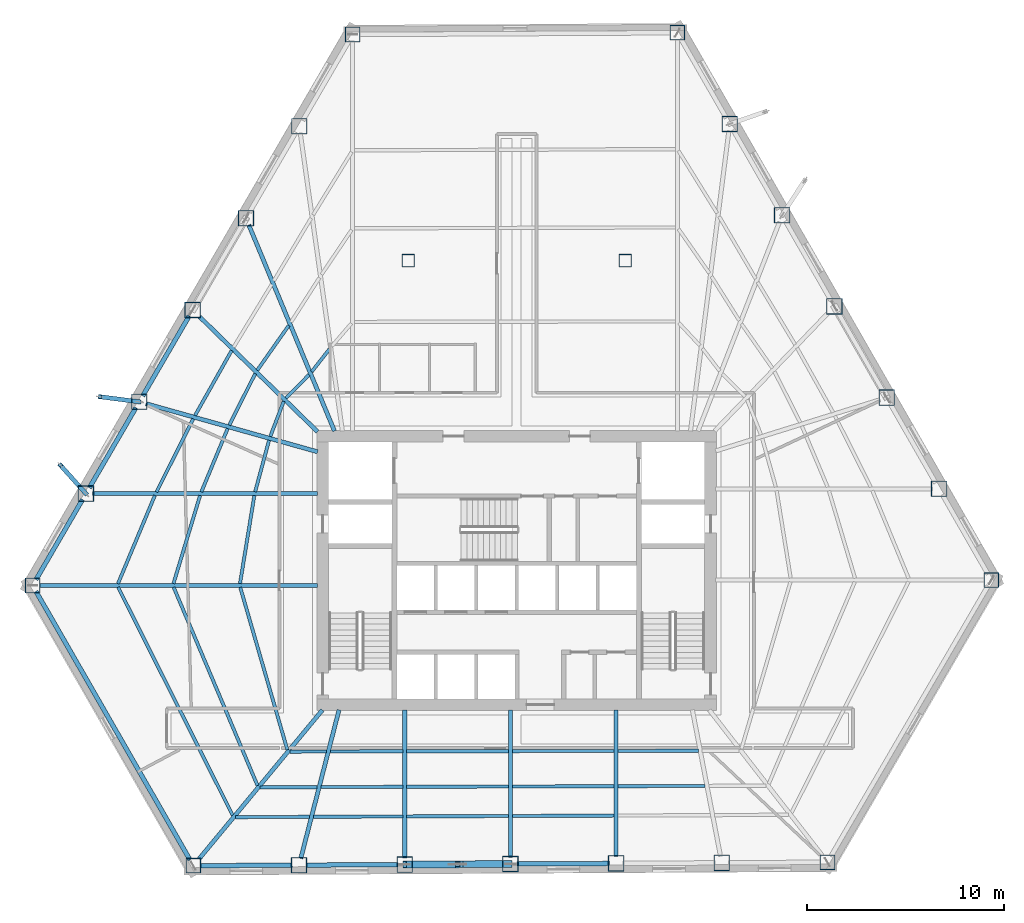
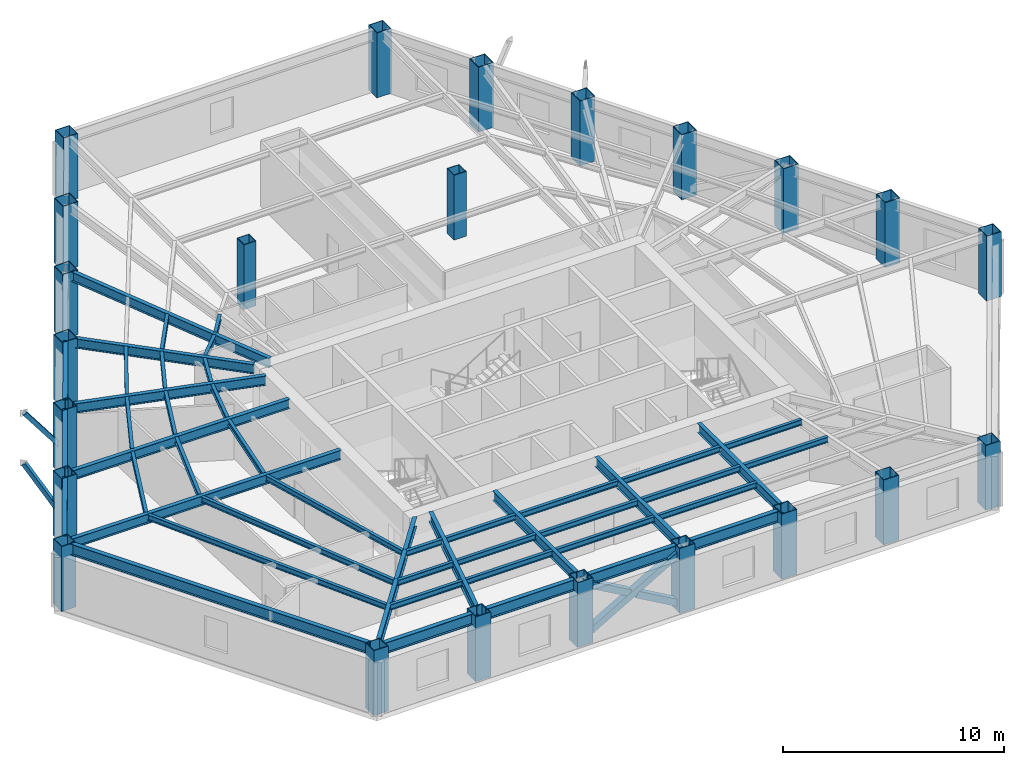
# One storey, part 1 of 12: 47 beams, 23 columns, 5 members.
"""IFC4 building model written with IfcOpenShell, lengths in metres."""

from ifc_helpers import new_model, si_unit, direction, frame, origin, origin_2d, place, context, subcontext, project, spatial, hollow_rectangle, i_section, extrude, material, material_profile, profile_set, type_object, element, save


model = new_model("IFC4")

# Units and contexts
model_context = context("Model", 3, precision=1e-05, world=origin(), true_north=direction((0.0, 1.0)))
body_context = subcontext(model_context, "Body", "Model", "MODEL_VIEW")
ifc_project = project(units=[si_unit("LENGTHUNIT", "METRE"), si_unit("AREAUNIT", "SQUARE_METRE"), si_unit("VOLUMEUNIT", "CUBIC_METRE"), si_unit("PLANEANGLEUNIT", "RADIAN"), si_unit("MASSUNIT", "GRAM", prefix="KILO")], contexts=[model_context])

# Site, building, storey
site_placement = place(None, origin())
site = spatial("IfcSite", under=ifc_project, at=site_placement, CompositionType="ELEMENT")
building_placement = place(site_placement, origin())
building = spatial("IfcBuilding", under=site, at=building_placement, Name="Kavelnor Concourse Tower", CompositionType="ELEMENT")
storey_placement = place(building_placement, frame((0.0, 0.0, 6.0)))
storey = spatial("IfcBuildingStorey", under=building, at=storey_placement, Name="L01", CompositionType="ELEMENT", Elevation=6.0)

# Columns
ifc_material = material(Name="Steel Grade 350", Category="steel")
ifc_material_profile_1 = material_profile(ifc_material, hollow_rectangle(XDim=0.760009765625, YDim=0.760009765625, WallThickness=0.034912109375, at=origin_2d()), Name="SHS 760x760x35")
ifc_profile_set_1 = profile_set([ifc_material_profile_1], Name="Steel Grade 350")
column_type_1 = type_object("IfcColumnType", Name="COL-FOLD-Z1", PredefinedType="COLUMN", material=ifc_profile_set_1)
for number, where, z_axis, x_axis, name in (
    (1, (29.694580078125, 43.248779296875, 0.0), (0.0, 0.0, 1.0), (1.0, 0.0, 0.0), "L01 Perimeter Corner-Fold Column F0-B0"),
    (2, (13.479736328125, 15.33935546875, 0.0), (0.0, 0.0, 1.0), (1.0, 0.0, 0.0), "L01 Perimeter Corner-Fold Column F0-B6"),
    (3, (21.62451171875, 1.142333984375, 0.0), (0.0, 0.0, 1.0), (1.0, 0.0, 0.0), "L01 Perimeter Corner-Fold Column F1-B0"),
    (4, (53.74560546875, 1.317626953125, 0.0), (0.0, 0.0, 1.0), (1.0, 0.0, 0.0), "L01 Perimeter Corner-Fold Column F1-B6"),
    (5, (62.05078125, 15.61328125, 0.0), (0.0, 0.0, 1.0), (1.0, 0.0, 0.0), "L01 Perimeter Corner-Fold Column F2-B0"),
    (6, (46.144775390625, 43.338623046875, 0.0), (0.0, 0.0, 1.0), (1.0, 0.0, 0.0), "L01 Perimeter Corner-Fold Column F2-B6"),
):
    element("IfcColumn", number, at=place(storey_placement, frame(where, z_axis=z_axis, x_axis=x_axis)), inside=storey, type_object=column_type_1, Name=name, PredefinedType="COLUMN", context=body_context, shape_type="SweptSolid", body=[
        extrude(hollow_rectangle(XDim=0.760009765625, YDim=0.760009765625, WallThickness=0.034912109375, at=origin_2d()), origin(), (0.0, 0.0, 1.0), 3.590087890625),
    ])
ifc_material_profile_2 = material_profile(ifc_material, hollow_rectangle(XDim=0.800048828125, YDim=0.800048828125, WallThickness=0.035888671875, at=origin_2d()), Name="SHS 800x800x36")
ifc_profile_set_2 = profile_set([ifc_material_profile_2], Name="Steel Grade 350")
column_type_2 = type_object("IfcColumnType", Name="COL-TUBE-Z1", PredefinedType="COLUMN", material=ifc_profile_set_2)
for number, where, z_axis, x_axis, name in (
    (7, (26.9921875, 38.597412109375, 0.0), (0.0, 0.0, 1.0), (1.0, 0.0, 0.0), "L01 Perimeter Framed-Tube Column F0-B1"),
    (8, (24.289794921875, 33.94580078125, 0.0), (0.0, 0.0, 1.0), (1.0, 0.0, 0.0), "L01 Perimeter Framed-Tube Column F0-B2"),
    (9, (21.587158203125, 29.294189453125, 0.0), (0.0, 0.0, 1.0), (1.0, 0.0, 0.0), "L01 Perimeter Framed-Tube Column F0-B3"),
    (10, (18.884765625, 24.642578125, 0.0), (0.0, 0.0, 1.0), (1.0, 0.0, 0.0), "L01 Perimeter Framed-Tube Column F0-B4"),
    (11, (16.182373046875, 19.990966796875, 0.0), (0.0, 0.0, 1.0), (1.0, 0.0, 0.0), "L01 Perimeter Framed-Tube Column F0-B5"),
    (12, (26.97802734375, 1.171630859375, 0.0), (0.0, 0.0, 1.0), (1.0, 0.0, 0.0), "L01 Perimeter Framed-Tube Column F1-B1"),
    (13, (32.33154296875, 1.20068359375, 0.0), (0.0, 0.0, 1.0), (1.0, 0.0, 0.0), "L01 Perimeter Framed-Tube Column F1-B2"),
    (14, (37.68505859375, 1.22998046875, 0.0), (0.0, 0.0, 1.0), (1.0, 0.0, 0.0), "L01 Perimeter Framed-Tube Column F1-B3"),
    (15, (43.03857421875, 1.25927734375, 0.0), (0.0, 0.0, 1.0), (1.0, 0.0, 0.0), "L01 Perimeter Framed-Tube Column F1-B4"),
    (16, (48.39208984375, 1.288330078125, 0.0), (0.0, 0.0, 1.0), (1.0, 0.0, 0.0), "L01 Perimeter Framed-Tube Column F1-B5"),
    (17, (59.39990234375, 20.234130859375, 0.0), (0.0, 0.0, 1.0), (1.0, 0.0, 0.0), "L01 Perimeter Framed-Tube Column F2-B1"),
    (18, (56.748779296875, 24.85498046875, 0.0), (0.0, 0.0, 1.0), (1.0, 0.0, 0.0), "L01 Perimeter Framed-Tube Column F2-B2"),
    (19, (54.097900390625, 29.475830078125, 0.0), (0.0, 0.0, 1.0), (1.0, 0.0, 0.0), "L01 Perimeter Framed-Tube Column F2-B3"),
    (20, (51.44677734375, 34.0966796875, 0.0), (0.0, 0.0, 1.0), (1.0, 0.0, 0.0), "L01 Perimeter Framed-Tube Column F2-B4"),
    (21, (48.7958984375, 38.7177734375, 0.0), (0.0, 0.0, 1.0), (1.0, 0.0, 0.0), "L01 Perimeter Framed-Tube Column F2-B5"),
):
    element("IfcColumn", number, at=place(storey_placement, frame(where, z_axis=z_axis, x_axis=x_axis)), inside=storey, type_object=column_type_2, Name=name, PredefinedType="COLUMN", context=body_context, shape_type="SweptSolid", body=[
        extrude(hollow_rectangle(XDim=0.800048828125, YDim=0.800048828125, WallThickness=0.035888671875, at=origin_2d()), origin(), (0.0, 0.0, 1.0), 3.590087890625),
    ])
ifc_material_profile_3 = material_profile(ifc_material, hollow_rectangle(XDim=0.639892578125, YDim=0.639892578125, WallThickness=0.028076171875, at=origin_2d()), Name="SHS 640x640x28")
ifc_profile_set_3 = profile_set([ifc_material_profile_3], Name="Steel Grade 350")
column_type_3 = type_object("IfcColumnType", Name="COL-TUBE-Z3", PredefinedType="COLUMN", material=ifc_profile_set_3)
for number, where, z_axis, x_axis, name in (
    (22, (32.5, 31.800048828125, 0.0), (0.0, 0.0, 1.0), (1.0, 0.0, 0.0), "L01 North Interior Gravity Column BC-NW"),
    (23, (43.5, 31.800048828125, 0.0), (0.0, 0.0, 1.0), (1.0, 0.0, 0.0), "L01 North Interior Gravity Column BC-NE"),
):
    element("IfcColumn", number, at=place(storey_placement, frame(where, z_axis=z_axis, x_axis=x_axis)), inside=storey, type_object=column_type_3, Name=name, PredefinedType="COLUMN", context=body_context, shape_type="SweptSolid", body=[
        extrude(hollow_rectangle(XDim=0.639892578125, YDim=0.639892578125, WallThickness=0.028076171875, at=origin_2d()), origin(), (0.0, 0.0, 1.0), 3.590087890625),
    ])

# Beams
ifc_material_profile_4 = material_profile(ifc_material, i_section(OverallWidth=0.166015625, OverallDepth=0.306884765625, WebThickness=0.006591796875, FlangeThickness=0.01171875, at=origin_2d()), Name="310UB46")
ifc_profile_set_4 = profile_set([ifc_material_profile_4], Name="Steel Grade 350")
beam_type_1 = type_object("IfcBeamType", Name="BM-JOIST-310", PredefinedType="JOIST", material=ifc_profile_set_4)
beam_1_placement = place(storey_placement, frame((23.99951171875, 15.24462890625, 3.4365234375), z_axis=(0.278414331812, -0.960461066281, 0.0), x_axis=(0.960461066281, 0.278414331812, 0.0)))
element("IfcBeam", 24, at=beam_1_placement, inside=storey, type_object=beam_type_1, Name="L01 Secondary Composite Joist 01-1", PredefinedType="JOIST", context=body_context, shape_type="SweptSolid", body=[
    extrude(i_section(OverallWidth=0.166015625, OverallDepth=0.306884765625, WebThickness=0.006591796875, FlangeThickness=0.01171875, at=origin_2d()), origin(), (0.0, 0.0, 1.0), 8.569091796875),
])
beam_2_placement = place(storey_placement, frame((20.626220703125, 15.24853515625, 3.4365234375), z_axis=(0.389463299445, -0.921041985137, 0.0), x_axis=(0.921041985137, 0.389463299445, 0.0)))
element("IfcBeam", 25, at=beam_2_placement, inside=storey, type_object=beam_type_1, Name="L01 Secondary Composite Joist 01-2", PredefinedType="JOIST", context=body_context, shape_type="SweptSolid", body=[
    extrude(i_section(OverallWidth=0.166015625, OverallDepth=0.306884765625, WebThickness=0.006591796875, FlangeThickness=0.01171875, at=origin_2d()), origin(), (0.0, 0.0, 1.0), 10.90869140625),
])
beam_3_placement = place(storey_placement, frame((17.81201171875, 15.251220703125, 3.4365234375), z_axis=(0.448873501869, -0.893595310708, 0.0), x_axis=(0.893595310708, 0.448873501869, 0.0)))
element("IfcBeam", 26, at=beam_3_placement, inside=storey, type_object=beam_type_1, Name="L01 Secondary Composite Joist 01-3", PredefinedType="JOIST", context=body_context, shape_type="SweptSolid", body=[
    extrude(i_section(OverallWidth=0.166015625, OverallDepth=0.306884765625, WebThickness=0.006591796875, FlangeThickness=0.01171875, at=origin_2d()), origin(), (0.0, 0.0, 1.0), 12.93701171875),
])
beam_4_placement = place(storey_placement, frame((26.51123046875, 6.92041015625, 3.4365234375), z_axis=(0.999983922655, 0.005670487759, 0.0), x_axis=(-0.005670487759, 0.999983922655, 0.0)))
element("IfcBeam", 27, at=beam_4_placement, inside=storey, type_object=beam_type_1, Name="L01 Secondary Composite Joist 02-1", PredefinedType="JOIST", context=body_context, shape_type="SweptSolid", body=[
    extrude(i_section(OverallWidth=0.166015625, OverallDepth=0.306884765625, WebThickness=0.006591796875, FlangeThickness=0.01171875, at=origin_2d()), origin(), (0.0, 0.0, 1.0), 1.851318359375),
])
beam_5_placement = place(storey_placement, frame((25.01171875, 5.11083984375, 3.4365234375), z_axis=(0.999988372745, 0.004822278955, 0.0), x_axis=(-0.004822278955, 0.999988372745, 0.0)))
element("IfcBeam", 28, at=beam_5_placement, inside=storey, type_object=beam_type_1, Name="L01 Secondary Composite Joist 02-2", PredefinedType="JOIST", context=body_context, shape_type="SweptSolid", body=[
    extrude(i_section(OverallWidth=0.166015625, OverallDepth=0.306884765625, WebThickness=0.006591796875, FlangeThickness=0.01171875, at=origin_2d()), origin(), (0.0, 0.0, 1.0), 2.8857421875),
])
beam_6_placement = place(storey_placement, frame((23.761962890625, 3.60302734375, 3.4365234375), z_axis=(0.999990190395, 0.004429346857, 0.0), x_axis=(-0.004429346857, 0.999990190395, 0.0)))
element("IfcBeam", 29, at=beam_6_placement, inside=storey, type_object=beam_type_1, Name="L01 Secondary Composite Joist 02-3", PredefinedType="JOIST", context=body_context, shape_type="SweptSolid", body=[
    extrude(i_section(OverallWidth=0.166015625, OverallDepth=0.306884765625, WebThickness=0.006591796875, FlangeThickness=0.01171875, at=origin_2d()), origin(), (0.0, 0.0, 1.0), 3.748046875),
])
beam_7_placement = place(storey_placement, frame((28.5595703125, 6.931640625, 3.4365234375), z_axis=(0.999997446805, 0.002259731038, 0.0), x_axis=(-0.002259731038, 0.999997446805, 0.0)))
element("IfcBeam", 30, at=beam_7_placement, inside=storey, type_object=beam_type_1, Name="L01 Secondary Composite Joist 03-1", PredefinedType="JOIST", context=body_context, shape_type="SweptSolid", body=[
    extrude(i_section(OverallWidth=0.166015625, OverallDepth=0.306884765625, WebThickness=0.006591796875, FlangeThickness=0.01171875, at=origin_2d()), origin(), (0.0, 0.0, 1.0), 3.67333984375),
])
beam_8_placement = place(storey_placement, frame((28.094482421875, 5.12548828125, 3.4365234375), z_axis=(0.999993735625, 0.003539592009, 0.0), x_axis=(-0.003539592009, 0.999993735625, 0.0)))
element("IfcBeam", 31, at=beam_8_placement, inside=storey, type_object=beam_type_1, Name="L01 Secondary Composite Joist 03-2", PredefinedType="JOIST", context=body_context, shape_type="SweptSolid", body=[
    extrude(i_section(OverallWidth=0.166015625, OverallDepth=0.306884765625, WebThickness=0.006591796875, FlangeThickness=0.01171875, at=origin_2d()), origin(), (0.0, 0.0, 1.0), 4.138427734375),
])
beam_9_placement = place(storey_placement, frame((27.70703125, 3.62060546875, 3.4365234375), z_axis=(0.999990688532, 0.004315419953, 0.0), x_axis=(-0.004315419953, 0.999990688532, 0.0)))
element("IfcBeam", 32, at=beam_9_placement, inside=storey, type_object=beam_type_1, Name="L01 Secondary Composite Joist 03-3", PredefinedType="JOIST", context=body_context, shape_type="SweptSolid", body=[
    extrude(i_section(OverallWidth=0.166015625, OverallDepth=0.306884765625, WebThickness=0.006591796875, FlangeThickness=0.01171875, at=origin_2d()), origin(), (0.0, 0.0, 1.0), 4.52587890625),
])
for number, where, z_axis, x_axis, name in (
    (33, (32.429931640625, 6.9404296875, 3.4365234375), (0.999998852269, 0.00151507804, 0.0), (-0.00151507804, 0.999998852269, 0.0), "L01 Secondary Composite Joist 04-1"),
    (34, (32.429931640625, 5.140625, 3.4365234375), (0.999995965024, 0.002840763122, 0.0), (-0.002840763122, 0.999995965024, 0.0), "L01 Secondary Composite Joist 04-2"),
    (35, (32.429931640625, 3.64111328125, 3.4365234375), (0.999992463602, 0.003882362673, 0.0), (-0.003882362673, 0.999992463602, 0.0), "L01 Secondary Composite Joist 04-3"),
    (36, (37.783447265625, 6.948486328125, 3.4365234375), (0.999998852269, 0.00151507804, 0.0), (-0.00151507804, 0.999998852269, 0.0), "L01 Secondary Composite Joist 05-1"),
    (37, (37.783447265625, 5.156005859375, 3.4365234375), (0.999996098402, 0.002793417443, 0.0), (-0.002793417443, 0.999996098402, 0.0), "L01 Secondary Composite Joist 05-2"),
    (38, (37.783447265625, 3.662109375, 3.4365234375), (0.999992463602, 0.003882362673, 0.0), (-0.003882362673, 0.999992463602, 0.0), "L01 Secondary Composite Joist 05-3"),
):
    element("IfcBeam", number, at=place(storey_placement, frame(where, z_axis=z_axis, x_axis=x_axis)), inside=storey, type_object=beam_type_1, Name=name, PredefinedType="JOIST", context=body_context, shape_type="SweptSolid", body=[
        extrude(i_section(OverallWidth=0.166015625, OverallDepth=0.306884765625, WebThickness=0.006591796875, FlangeThickness=0.01171875, at=origin_2d()), origin(), (0.0, 0.0, 1.0), 5.156494140625),
    ])
beam_10_placement = place(storey_placement, frame((43.136962890625, 6.956787109375, 3.4365234375), z_axis=(0.999998266531, 0.001861970464, 0.0), x_axis=(-0.001861970464, 0.999998266531, 0.0)))
element("IfcBeam", 39, at=beam_10_placement, inside=storey, type_object=beam_type_1, Name="L01 Secondary Composite Joist 06-1", PredefinedType="JOIST", context=body_context, shape_type="SweptSolid", body=[
    extrude(i_section(OverallWidth=0.166015625, OverallDepth=0.306884765625, WebThickness=0.006591796875, FlangeThickness=0.01171875, at=origin_2d()), origin(), (0.0, 0.0, 1.0), 4.064697265625),
])
beam_11_placement = place(storey_placement, frame((43.136962890625, 5.171142578125, 3.4365234375), z_axis=(0.999994475226, 0.003324081358, 0.0), x_axis=(-0.003324081358, 0.999994475226, 0.0)))
element("IfcBeam", 40, at=beam_11_placement, inside=storey, type_object=beam_type_1, Name="L01 Secondary Composite Joist 06-2", PredefinedType="JOIST", context=body_context, shape_type="SweptSolid", body=[
    extrude(i_section(OverallWidth=0.166015625, OverallDepth=0.306884765625, WebThickness=0.006591796875, FlangeThickness=0.01171875, at=origin_2d()), origin(), (0.0, 0.0, 1.0), 4.40673828125),
])
beam_12_placement = place(storey_placement, frame((28.515380859375, 27.309814453125, 3.4365234375), z_axis=(-0.616769356754, -0.78714392621, 0.0), x_axis=(0.78714392621, -0.616769356754, 0.0)))
element("IfcBeam", 41, at=beam_12_placement, inside=storey, type_object=beam_type_1, Name="L01 Secondary Composite Joist 17-1", PredefinedType="JOIST", context=body_context, shape_type="SweptSolid", body=[
    extrude(i_section(OverallWidth=0.166015625, OverallDepth=0.306884765625, WebThickness=0.006591796875, FlangeThickness=0.01171875, at=origin_2d()), origin(), (0.0, 0.0, 1.0), 1.455810546875),
])
beam_13_placement = place(storey_placement, frame((27.4873046875, 26.016357421875, 3.4365234375), z_axis=(-0.706157008419, -0.708055279947, 0.0), x_axis=(0.708055279947, -0.706157008419, 0.0)))
element("IfcBeam", 42, at=beam_13_placement, inside=storey, type_object=beam_type_1, Name="L01 Secondary Composite Joist 18-1", PredefinedType="JOIST", context=body_context, shape_type="SweptSolid", body=[
    extrude(i_section(OverallWidth=0.166015625, OverallDepth=0.306884765625, WebThickness=0.006591796875, FlangeThickness=0.01171875, at=origin_2d()), origin(), (0.0, 0.0, 1.0), 1.671875),
])
beam_14_placement = place(storey_placement, frame((26.45849609375, 28.510986328125, 3.4365234375), z_axis=(-0.575343127252, -0.817912150493, 0.0), x_axis=(0.817912150493, -0.575343127252, 0.0)))
element("IfcBeam", 43, at=beam_14_placement, inside=storey, type_object=beam_type_1, Name="L01 Secondary Composite Joist 18-2", PredefinedType="JOIST", context=body_context, shape_type="SweptSolid", body=[
    extrude(i_section(OverallWidth=0.166015625, OverallDepth=0.306884765625, WebThickness=0.006591796875, FlangeThickness=0.01171875, at=origin_2d()), origin(), (0.0, 0.0, 1.0), 2.77685546875),
])
beam_15_placement = place(storey_placement, frame((26.201904296875, 24.6708984375, 3.4365234375), z_axis=(-0.356642824214, -0.934240812605, 0.0), x_axis=(0.934240812605, -0.356642824214, 0.0)))
element("IfcBeam", 44, at=beam_15_placement, inside=storey, type_object=beam_type_1, Name="L01 Secondary Composite Joist 19-1", PredefinedType="JOIST", context=body_context, shape_type="SweptSolid", body=[
    extrude(i_section(OverallWidth=0.166015625, OverallDepth=0.306884765625, WebThickness=0.006591796875, FlangeThickness=0.01171875, at=origin_2d()), origin(), (0.0, 0.0, 1.0), 1.91259765625),
])
beam_16_placement = place(storey_placement, frame((24.759765625, 26.0712890625, 3.4365234375), z_axis=(-0.450955093138, -0.892546639663, 0.0), x_axis=(0.892546639663, -0.450955093138, 0.0)))
element("IfcBeam", 45, at=beam_16_placement, inside=storey, type_object=beam_type_1, Name="L01 Secondary Composite Joist 19-2", PredefinedType="JOIST", context=body_context, shape_type="SweptSolid", body=[
    extrude(i_section(OverallWidth=0.166015625, OverallDepth=0.306884765625, WebThickness=0.006591796875, FlangeThickness=0.01171875, at=origin_2d()), origin(), (0.0, 0.0, 1.0), 2.920166015625),
])
beam_17_placement = place(storey_placement, frame((23.561767578125, 27.23681640625, 3.4365234375), z_axis=(-0.491176440802, -0.871060103553, 0.0), x_axis=(0.871060103553, -0.491176440802, 0.0)))
element("IfcBeam", 46, at=beam_17_placement, inside=storey, type_object=beam_type_1, Name="L01 Secondary Composite Joist 19-3", PredefinedType="JOIST", context=body_context, shape_type="SweptSolid", body=[
    extrude(i_section(OverallWidth=0.166015625, OverallDepth=0.306884765625, WebThickness=0.006591796875, FlangeThickness=0.01171875, at=origin_2d()), origin(), (0.0, 0.0, 1.0), 3.773193359375),
])
beam_18_placement = place(storey_placement, frame((25.458984375, 22.697021484375, 3.4365234375), z_axis=(-0.260527020292, -0.965466556488, 0.0), x_axis=(0.965466556488, -0.260527020292, 0.0)))
element("IfcBeam", 47, at=beam_18_placement, inside=storey, type_object=beam_type_1, Name="L01 Secondary Composite Joist 20-1", PredefinedType="JOIST", context=body_context, shape_type="SweptSolid", body=[
    extrude(i_section(OverallWidth=0.166015625, OverallDepth=0.306884765625, WebThickness=0.006591796875, FlangeThickness=0.01171875, at=origin_2d()), origin(), (0.0, 0.0, 1.0), 2.70458984375),
])
beam_19_placement = place(storey_placement, frame((23.360595703125, 23.285888671875, 3.4365234375), z_axis=(-0.383275725622, -0.92363397412, 0.0), x_axis=(0.92363397412, -0.383275725622, 0.0)))
element("IfcBeam", 48, at=beam_19_placement, inside=storey, type_object=beam_type_1, Name="L01 Secondary Composite Joist 20-2", PredefinedType="JOIST", context=body_context, shape_type="SweptSolid", body=[
    extrude(i_section(OverallWidth=0.166015625, OverallDepth=0.306884765625, WebThickness=0.006591796875, FlangeThickness=0.01171875, at=origin_2d()), origin(), (0.0, 0.0, 1.0), 3.468994140625),
])
beam_20_placement = place(storey_placement, frame((21.61572265625, 23.7763671875, 3.4365234375), z_axis=(-0.448982691042, -0.893540454117, 0.0), x_axis=(0.893540454117, -0.448982691042, 0.0)))
element("IfcBeam", 49, at=beam_20_placement, inside=storey, type_object=beam_type_1, Name="L01 Secondary Composite Joist 20-3", PredefinedType="JOIST", context=body_context, shape_type="SweptSolid", body=[
    extrude(i_section(OverallWidth=0.166015625, OverallDepth=0.306884765625, WebThickness=0.006591796875, FlangeThickness=0.01171875, at=origin_2d()), origin(), (0.0, 0.0, 1.0), 4.137939453125),
])
beam_21_placement = place(storey_placement, frame((24.712890625, 19.893798828125, 3.4365234375), z_axis=(-0.160566592443, -0.987025009506, 0.0), x_axis=(0.987025009506, -0.160566592443, 0.0)))
element("IfcBeam", 50, at=beam_21_placement, inside=storey, type_object=beam_type_1, Name="L01 Secondary Composite Joist 21-1", PredefinedType="JOIST", context=body_context, shape_type="SweptSolid", body=[
    extrude(i_section(OverallWidth=0.166015625, OverallDepth=0.306884765625, WebThickness=0.006591796875, FlangeThickness=0.01171875, at=origin_2d()), origin(), (0.0, 0.0, 1.0), 4.515869140625),
])
beam_22_placement = place(storey_placement, frame((21.964599609375, 19.896484375, 3.4365234375), z_axis=(-0.28917301756, -0.957276849148, 0.0), x_axis=(0.957276849148, -0.28917301756, 0.0)))
element("IfcBeam", 51, at=beam_22_placement, inside=storey, type_object=beam_type_1, Name="L01 Secondary Composite Joist 21-2", PredefinedType="JOIST", context=body_context, shape_type="SweptSolid", body=[
    extrude(i_section(OverallWidth=0.166015625, OverallDepth=0.306884765625, WebThickness=0.006591796875, FlangeThickness=0.01171875, at=origin_2d()), origin(), (0.0, 0.0, 1.0), 4.662109375),
])
beam_23_placement = place(storey_placement, frame((19.675537109375, 19.89990234375, 3.4365234375), z_axis=(-0.385888789376, -0.922545306332, 0.0), x_axis=(0.922545306332, -0.385888789376, 0.0)))
element("IfcBeam", 52, at=beam_23_placement, inside=storey, type_object=beam_type_1, Name="L01 Secondary Composite Joist 21-3", PredefinedType="JOIST", context=body_context, shape_type="SweptSolid", body=[
    extrude(i_section(OverallWidth=0.166015625, OverallDepth=0.306884765625, WebThickness=0.006591796875, FlangeThickness=0.01171875, at=origin_2d()), origin(), (0.0, 0.0, 1.0), 4.844970703125),
])
ifc_material_profile_5 = material_profile(ifc_material, i_section(OverallWidth=0.208984375, OverallDepth=0.528076171875, WebThickness=0.009521484375, FlangeThickness=0.01318359375, at=origin_2d()), Name="530UB82")
ifc_profile_set_5 = profile_set([ifc_material_profile_5], Name="Steel Grade 350")
beam_type_2 = type_object("IfcBeamType", Name="BM-PRIMARY-530", PredefinedType="BEAM", material=ifc_profile_set_5)
beam_24_placement = place(storey_placement, frame((28.771728515625, 23.1630859375, 3.325927734375), z_axis=(-0.383830157358, 0.923403709275, 0.0), x_axis=(-0.923403709275, -0.383830157358, 0.0)))
element("IfcBeam", 53, at=beam_24_placement, inside=storey, type_object=beam_type_2, Name="L01 Primary Floor Girder F0-B2", PredefinedType="BEAM", context=body_context, shape_type="SweptSolid", body=[
    extrude(i_section(OverallWidth=0.208984375, OverallDepth=0.528076171875, WebThickness=0.009521484375, FlangeThickness=0.01318359375, at=origin_2d()), origin(), (0.0, 0.0, 1.0), 11.305419921875),
])
beam_25_placement = place(storey_placement, frame((27.90869140625, 23.1337890625, 3.325927734375), z_axis=(-0.716171030069, 0.697924820944, 0.0), x_axis=(-0.697924820944, -0.716171030069, 0.0)))
element("IfcBeam", 54, at=beam_25_placement, inside=storey, type_object=beam_type_2, Name="L01 Primary Floor Girder F0-B3", PredefinedType="BEAM", context=body_context, shape_type="SweptSolid", body=[
    extrude(i_section(OverallWidth=0.208984375, OverallDepth=0.528076171875, WebThickness=0.009521484375, FlangeThickness=0.01318359375, at=origin_2d()), origin(), (0.0, 0.0, 1.0), 8.3359375),
])
beam_26_placement = place(storey_placement, frame((27.91845703125, 22.109619140625, 3.325927734375), z_axis=(-0.962864523652, 0.269985016421, 0.0), x_axis=(-0.269985016421, -0.962864523652, 0.0)))
element("IfcBeam", 55, at=beam_26_placement, inside=storey, type_object=beam_type_2, Name="L01 Primary Floor Girder F0-B4", PredefinedType="BEAM", context=body_context, shape_type="SweptSolid", body=[
    extrude(i_section(OverallWidth=0.208984375, OverallDepth=0.528076171875, WebThickness=0.009521484375, FlangeThickness=0.01318359375, at=origin_2d()), origin(), (0.0, 0.0, 1.0), 9.02734375),
])
beam_27_placement = place(storey_placement, frame((27.919921875, 19.990966796875, 3.325927734375), z_axis=(-1.0, 0.0, 0.0), x_axis=(0.0, -1.0, 0.0)))
element("IfcBeam", 56, at=beam_27_placement, inside=storey, type_object=beam_type_2, Name="L01 Primary Floor Girder F0-B5", PredefinedType="BEAM", context=body_context, shape_type="SweptSolid", body=[
    extrude(i_section(OverallWidth=0.208984375, OverallDepth=0.528076171875, WebThickness=0.009521484375, FlangeThickness=0.01318359375, at=origin_2d()), origin(), (0.0, 0.0, 1.0), 11.397705078125),
])
beam_28_placement = place(storey_placement, frame((27.919921875, 15.33935546875, 3.325927734375), z_axis=(-1.0, 0.0, 0.0), x_axis=(0.0, -1.0, 0.0)))
element("IfcBeam", 57, at=beam_28_placement, inside=storey, type_object=beam_type_2, Name="L01 Primary Floor Girder F0-B6", PredefinedType="BEAM", context=body_context, shape_type="SweptSolid", body=[
    extrude(i_section(OverallWidth=0.208984375, OverallDepth=0.528076171875, WebThickness=0.009521484375, FlangeThickness=0.01318359375, at=origin_2d()), origin(), (0.0, 0.0, 1.0), 14.10009765625),
])
beam_29_placement = place(storey_placement, frame((28.162353515625, 9.03076171875, 3.325927734375), z_axis=(-0.638131902105, -0.769927058568, 0.0), x_axis=(0.769927058568, -0.638131902105, 0.0)))
element("IfcBeam", 58, at=beam_29_placement, inside=storey, type_object=beam_type_2, Name="L01 Primary Floor Girder F1-B0", PredefinedType="BEAM", context=body_context, shape_type="SweptSolid", body=[
    extrude(i_section(OverallWidth=0.208984375, OverallDepth=0.528076171875, WebThickness=0.009521484375, FlangeThickness=0.01318359375, at=origin_2d()), origin(), (0.0, 0.0, 1.0), 9.7919921875),
])
beam_30_placement = place(storey_placement, frame((29.003662109375, 9.038818359375, 3.325927734375), z_axis=(-0.249344959446, -0.96841473099, 0.0), x_axis=(0.96841473099, -0.249344959446, 0.0)))
element("IfcBeam", 59, at=beam_30_placement, inside=storey, type_object=beam_type_2, Name="L01 Primary Floor Girder F1-B1", PredefinedType="BEAM", context=body_context, shape_type="SweptSolid", body=[
    extrude(i_section(OverallWidth=0.208984375, OverallDepth=0.528076171875, WebThickness=0.009521484375, FlangeThickness=0.01318359375, at=origin_2d()), origin(), (0.0, 0.0, 1.0), 7.771240234375),
])
beam_31_placement = place(storey_placement, frame((32.33154296875, 9.0400390625, 3.325927734375), z_axis=(0.0, -1.0, 0.0), x_axis=(1.0, 0.0, 0.0)))
element("IfcBeam", 60, at=beam_31_placement, inside=storey, type_object=beam_type_2, Name="L01 Primary Floor Girder F1-B2", PredefinedType="BEAM", context=body_context, shape_type="SweptSolid", body=[
    extrude(i_section(OverallWidth=0.208984375, OverallDepth=0.528076171875, WebThickness=0.009521484375, FlangeThickness=0.01318359375, at=origin_2d()), origin(), (0.0, 0.0, 1.0), 7.499267578125),
])
beam_32_placement = place(storey_placement, frame((37.68505859375, 9.0400390625, 3.325927734375), z_axis=(0.0, -1.0, 0.0), x_axis=(1.0, 0.0, 0.0)))
element("IfcBeam", 61, at=beam_32_placement, inside=storey, type_object=beam_type_2, Name="L01 Primary Floor Girder F1-B3", PredefinedType="BEAM", context=body_context, shape_type="SweptSolid", body=[
    extrude(i_section(OverallWidth=0.208984375, OverallDepth=0.528076171875, WebThickness=0.009521484375, FlangeThickness=0.01318359375, at=origin_2d()), origin(), (0.0, 0.0, 1.0), 7.469970703125),
])
beam_33_placement = place(storey_placement, frame((43.03857421875, 9.0400390625, 3.325927734375), z_axis=(0.0, -1.0, 0.0), x_axis=(1.0, 0.0, 0.0)))
element("IfcBeam", 62, at=beam_33_placement, inside=storey, type_object=beam_type_2, Name="L01 Primary Floor Girder F1-B4", PredefinedType="BEAM", context=body_context, shape_type="SweptSolid", body=[
    extrude(i_section(OverallWidth=0.208984375, OverallDepth=0.528076171875, WebThickness=0.009521484375, FlangeThickness=0.01318359375, at=origin_2d()), origin(), (0.0, 0.0, 1.0), 7.44091796875),
])
ifc_material_profile_6 = material_profile(ifc_material, i_section(OverallWidth=0.22900390625, OverallDepth=0.612060546875, WebThickness=0.011962890625, FlangeThickness=0.01953125, at=origin_2d()), Name="610UB125")
ifc_profile_set_6 = profile_set([ifc_material_profile_6], Name="Steel Grade 350")
beam_type_3 = type_object("IfcBeamType", Name="BM-SPANDREL-Z1", PredefinedType="SPANDREL", material=ifc_profile_set_6)
for number, where, z_axis, x_axis, name in (
    (63, (21.413818359375, 28.995849609375, 3.283935546875), (-0.502332686371, -0.864674431334, 0.0), (0.864674431334, -0.502332686371, 0.0), "L01 Perimeter Tube Spandrel Beam F0-B3"),
    (64, (18.71142578125, 24.34423828125, 3.283935546875), (-0.502332686371, -0.864674431334, 0.0), (0.864674431334, -0.502332686371, 0.0), "L01 Perimeter Tube Spandrel Beam F0-B4"),
):
    element("IfcBeam", number, at=place(storey_placement, frame(where, z_axis=z_axis, x_axis=x_axis)), inside=storey, type_object=beam_type_3, Name=name, PredefinedType="SPANDREL", context=body_context, shape_type="SweptSolid", body=[
        extrude(i_section(OverallWidth=0.22900390625, OverallDepth=0.612060546875, WebThickness=0.011962890625, FlangeThickness=0.01953125, at=origin_2d()), origin(), (0.0, 0.0, 1.0), 4.689453125),
    ])
beam_34_placement = place(storey_placement, frame((16.009033203125, 19.692626953125, 3.283935546875), z_axis=(-0.502371608567, -0.86465181831, 0.0), x_axis=(0.86465181831, -0.502371608567, 0.0)))
element("IfcBeam", 65, at=beam_34_placement, inside=storey, type_object=beam_type_3, Name="L01 Perimeter Tube Spandrel Beam F0-B5", PredefinedType="SPANDREL", context=body_context, shape_type="SweptSolid", body=[
    extrude(i_section(OverallWidth=0.22900390625, OverallDepth=0.612060546875, WebThickness=0.011962890625, FlangeThickness=0.01953125, at=origin_2d()), origin(), (0.0, 0.0, 1.0), 4.689697265625),
])
for number, where, z_axis, x_axis, name in (
    (66, (21.969482421875, 1.144287109375, 3.283935546875), (0.999985179278, 0.005444375387, 0.0), (-0.005444375387, 0.999985179278, 0.0), "L01 Perimeter Tube Spandrel Beam F1-B0"),
    (67, (27.322998046875, 1.173583984375, 3.283935546875), (0.999985179278, 0.005444375387, 0.0), (-0.005444375387, 0.999985179278, 0.0), "L01 Perimeter Tube Spandrel Beam F1-B1"),
    (68, (32.676513671875, 1.20263671875, 3.283935546875), (0.999985179278, 0.005444375387, 0.0), (-0.005444375387, 0.999985179278, 0.0), "L01 Perimeter Tube Spandrel Beam F1-B2"),
    (69, (38.030029296875, 1.23193359375, 3.283935546875), (0.999985179278, 0.005444375387, 0.0), (-0.005444375387, 0.999985179278, 0.0), "L01 Perimeter Tube Spandrel Beam F1-B3"),
):
    element("IfcBeam", number, at=place(storey_placement, frame(where, z_axis=z_axis, x_axis=x_axis)), inside=storey, type_object=beam_type_3, Name=name, PredefinedType="SPANDREL", context=body_context, shape_type="SweptSolid", body=[
        extrude(i_section(OverallWidth=0.22900390625, OverallDepth=0.612060546875, WebThickness=0.011962890625, FlangeThickness=0.01953125, at=origin_2d()), origin(), (0.0, 0.0, 1.0), 4.66357421875),
    ])
beam_35_placement = place(storey_placement, frame((13.651611328125, 15.0400390625, 3.283935546875), z_axis=(0.49761740712, -0.867396631381, 0.0), x_axis=(0.867396631381, 0.49761740712, 0.0)))
element("IfcBeam", 70, at=beam_35_placement, inside=storey, type_object=beam_type_3, Name="L01 Chamfer Facet Spandrel Beam C1", PredefinedType="SPANDREL", context=body_context, shape_type="SweptSolid", body=[
    extrude(i_section(OverallWidth=0.22900390625, OverallDepth=0.612060546875, WebThickness=0.011962890625, FlangeThickness=0.01953125, at=origin_2d()), origin(), (0.0, 0.0, 1.0), 15.67724609375),
])

# Members
ifc_material_profile_7 = material_profile(ifc_material, hollow_rectangle(XDim=0.219970703125, YDim=0.219970703125, WallThickness=0.013916015625, at=origin_2d()), Name="SHS 220x220x14")
ifc_profile_set_7 = profile_set([ifc_material_profile_7], Name="Steel Grade 350")
member_type_1 = type_object("IfcMemberType", Name="MBR-BALC-STRUT-220", PredefinedType="STRUT", material=ifc_profile_set_7)
member_1_placement = place(storey_placement, frame((18.884765625, 24.642578125, 1.050048828125), z_axis=(-0.606367381242, 0.078169180507, 0.791333165099), x_axis=(-0.127855866957, -0.991792759242, 0.0)))
element("IfcMember", 71, at=member_1_placement, inside=storey, type_object=member_type_1, Name="L01 Tree Balcony Raking Knee Strut 2-A", PredefinedType="STRUT", context=body_context, shape_type="SweptSolid", body=[
    extrude(hollow_rectangle(XDim=0.219970703125, YDim=0.219970703125, WallThickness=0.013916015625, at=origin_2d()), origin(), (0.0, 0.0, 1.0), 3.2919921875),
])
member_2_placement = place(storey_placement, frame((16.182373046875, 19.990966796875, 1.050048828125), z_axis=(-0.398904488831, 0.445113993565, 0.801716122778), x_axis=(-0.744705162062, -0.667393603205, 0.0)))
element("IfcMember", 72, at=member_2_placement, inside=storey, type_object=member_type_1, Name="L01 Tree Balcony Raking Knee Strut 2-B", PredefinedType="STRUT", context=body_context, shape_type="SweptSolid", body=[
    extrude(hollow_rectangle(XDim=0.219970703125, YDim=0.219970703125, WallThickness=0.013916015625, at=origin_2d()), origin(), (0.0, 0.0, 1.0), 3.249267578125),
])
ifc_material_profile_8 = material_profile(ifc_material, hollow_rectangle(XDim=0.35009765625, YDim=0.35009765625, WallThickness=0.02001953125, at=origin_2d()), Name="SHS 350x350x20")
ifc_profile_set_8 = profile_set([ifc_material_profile_8], Name="Steel Grade 350")
member_type_2 = type_object("IfcMemberType", Name="MBR-TUBE-DIAG-Z1", PredefinedType="BRACE", material=ifc_profile_set_8)
member_3_placement = place(storey_placement, frame((32.33154296875, 1.20068359375, 0.219970703125), z_axis=(0.867897029476, 0.004749527706, 0.496721439252), x_axis=(-0.005472373366, 0.999985026453, 0.0)))
element("IfcMember", 73, at=member_3_placement, inside=storey, type_object=member_type_2, Name="L01 Framed-Tube Bracing Diagonal F1-B2", PredefinedType="BRACE", context=body_context, shape_type="SweptSolid", body=[
    extrude(hollow_rectangle(XDim=0.35009765625, YDim=0.35009765625, WallThickness=0.02001953125, at=origin_2d()), origin(), (0.0, 0.0, 1.0), 6.16845703125),
])
for number, where, z_axis, x_axis, name in (
    (74, (37.68505859375, 1.22998046875, 0.219970703125), (-0.867913092104, -0.004773436767, 0.496693143556), (0.005499818606, -0.999984875883, 0.0), "L01 Framed-Tube X-Brace Lower Segment F1-B2"),
    (75, (34.8173828125, 1.21435546875, 1.861328125), (-0.867913092104, -0.004773436767, 0.496693143556), (0.005499818606, -0.999984875883, 0.0), "L01 Framed-Tube X-Brace Upper Segment F1-B2"),
):
    element("IfcMember", number, at=place(storey_placement, frame(where, z_axis=z_axis, x_axis=x_axis)), inside=storey, type_object=member_type_2, Name=name, PredefinedType="BRACE", context=body_context, shape_type="SweptSolid", body=[
        extrude(hollow_rectangle(XDim=0.35009765625, YDim=0.35009765625, WallThickness=0.02001953125, at=origin_2d()), origin(), (0.0, 0.0, 1.0), 2.8642578125),
    ])

save(model, "model.ifc")
